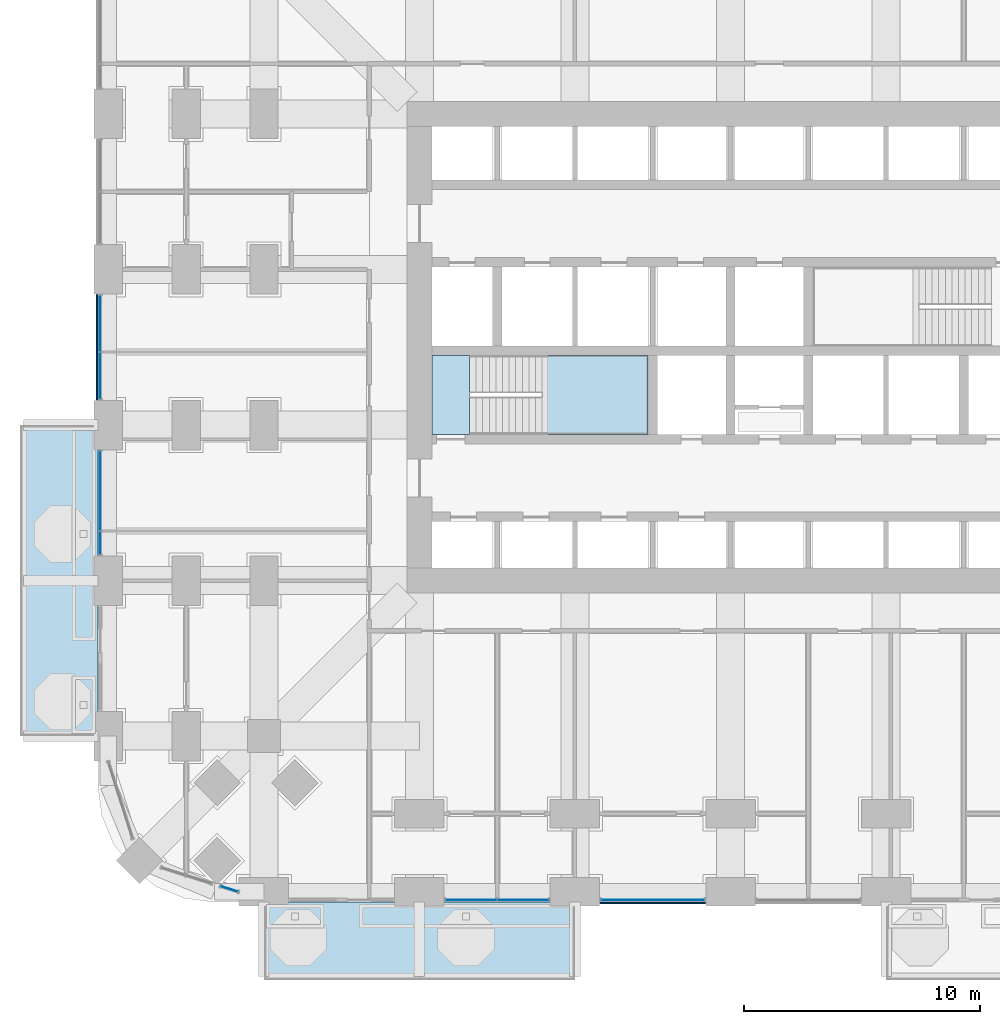
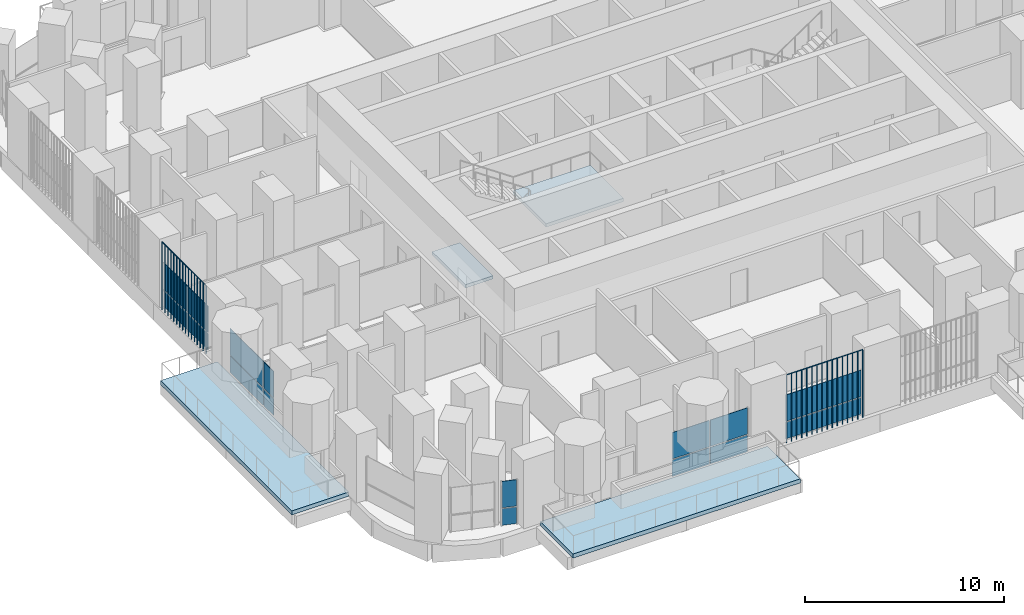
# One storey, part 12 of 27: 18 plates, 4 slabs, 6 elements without a shape of their own.
"""IFC4 building model written with IfcOpenShell, lengths in metres."""

from ifc_helpers import new_model, si_unit, direction, frame, origin, origin_2d, place, context, subcontext, project, spatial, polyline, rectangle, outline, extrude, material, layer, layer_set, type_object, element, aggregate, save


model = new_model("IFC4")

# Units and contexts
model_context = context("Model", 3, precision=1e-05, world=origin(), true_north=direction((0.0, 1.0)))
body_context = subcontext(model_context, "Body", "Model", "MODEL_VIEW")
ifc_project = project(units=[si_unit("LENGTHUNIT", "METRE"), si_unit("AREAUNIT", "SQUARE_METRE"), si_unit("VOLUMEUNIT", "CUBIC_METRE"), si_unit("PLANEANGLEUNIT", "RADIAN"), si_unit("MASSUNIT", "GRAM", prefix="KILO")], contexts=[model_context])

# Site, building, storey
site_placement = place(None, origin())
site = spatial("IfcSite", under=ifc_project, at=site_placement, CompositionType="ELEMENT")
building_placement = place(site_placement, origin())
building = spatial("IfcBuilding", under=site, at=building_placement, Name="Cobogo Forest Laboratory Tower", CompositionType="ELEMENT")
storey_placement = place(building_placement, frame((0.0, 0.0, 46.5)))
storey = spatial("IfcBuildingStorey", under=building, at=storey_placement, Name="L10", CompositionType="ELEMENT", Elevation=46.5)

# Slabs
ifc_material_1 = material(Name="Concrete HA-40 (C40/50)", Category="concrete")
ifc_layer_1 = layer(ifc_material_1, 0.25)
ifc_layer_set_1 = layer_set([ifc_layer_1], Name="Balcony slab 250")
slab_type_1 = type_object("IfcSlabType", Name="Balcony slab 250", PredefinedType="FLOOR", material=ifc_layer_set_1)
slab_1_placement = place(storey_placement, frame((0.0, 0.0, -0.25)))
element("IfcSlab", 1, at=slab_1_placement, inside=storey, type_object=slab_type_1, Name="Balcony BAL-S1 L10", PredefinedType="FLOOR", context=body_context, shape_type="SweptSolid", body=[
    extrude(outline(polyline([(6.60009765625, -3.75), (19.800048828125, -3.75), (19.800048828125, -0.449951171875), (6.60009765625, -0.449951171875), (6.60009765625, -3.75)])), origin(), (0.0, 0.0, 1.0), 0.25),
])
slab_2_placement = place(storey_placement, frame((0.0, 0.0, -0.25)))
element("IfcSlab", 2, at=slab_2_placement, inside=storey, type_object=slab_type_1, Name="Balcony BAL-W1 L10", PredefinedType="FLOOR", context=body_context, shape_type="SweptSolid", body=[
    extrude(outline(polyline([(-3.75, 6.60009765625), (-0.449951171875, 6.60009765625), (-0.449951171875, 19.800048828125), (-3.75, 19.800048828125), (-3.75, 6.60009765625)])), origin(), (0.0, 0.0, 1.0), 0.25),
])

# Curtain wall, plates
ifc_material_2 = material(Name="Aluminium curtain wall", Category="aluminium")
curtain_wall_type = type_object("IfcCurtainWallType", Name="CW-1 unitised curtain wall, clear glazing, laboratory floors zones A and B", PredefinedType="USERDEFINED", material=ifc_material_2)
curtain_wall_1_placement = place(storey_placement, origin())
curtain_wall_1 = element("IfcCurtainWall", 3, at=curtain_wall_1_placement, inside=storey, type_object=curtain_wall_type, Name="Curtain wall 02 L10", ObjectType="UNITISED CURTAIN WALL", PredefinedType="USERDEFINED")
ifc_material_3 = material(Name="Clear insulated glass", Category="glass")
ifc_layer_2 = layer(ifc_material_3, 0.028076171875)
ifc_layer_set_2 = layer_set([ifc_layer_2], Name="GP-1 clear insulated glass unit 28")
plate_type_1 = type_object("IfcPlateType", Name="GP-1 clear insulated glass unit 28", PredefinedType="CURTAIN_PANEL", material=ifc_layer_set_2)
plate_1_placement = place(storey_placement, frame((15.389892578125, -0.35009765625, 0.0), z_axis=(0.0, 0.0, 1.0), x_axis=(1.0, 0.0, 0.0)))
plate_1 = element("IfcPlate", 4, at=plate_1_placement, type_object=plate_type_1, Name="CW-1 panel 1.1", PredefinedType="CURTAIN_PANEL", context=body_context, shape_type="SweptSolid", body=[
    extrude(rectangle(XDim=2.159912109375, YDim=0.028076171875, at=origin_2d()), origin(), (0.0, 0.0, 1.0), 1.02001953125),
])
plate_2_placement = place(storey_placement, frame((15.389892578125, -0.35009765625, 1.079833984375), z_axis=(0.0, 0.0, 1.0), x_axis=(1.0, 0.0, 0.0)))
plate_2 = element("IfcPlate", 5, at=plate_2_placement, type_object=plate_type_1, Name="CW-1 panel 1.2", PredefinedType="CURTAIN_PANEL", context=body_context, shape_type="SweptSolid", body=[
    extrude(rectangle(XDim=2.159912109375, YDim=0.028076171875, at=origin_2d()), origin(), (0.0, 0.0, 1.0), 1.6201171875),
])
plate_3_placement = place(storey_placement, frame((17.610107421875, -0.35009765625, 0.0), z_axis=(0.0, 0.0, 1.0), x_axis=(1.0, 0.0, 0.0)))
plate_3 = element("IfcPlate", 6, at=plate_3_placement, type_object=plate_type_1, Name="CW-1 panel 2.1", PredefinedType="CURTAIN_PANEL", context=body_context, shape_type="SweptSolid", body=[
    extrude(rectangle(XDim=2.159912109375, YDim=0.028076171875, at=origin_2d()), origin(), (0.0, 0.0, 1.0), 1.02001953125),
])
plate_4_placement = place(storey_placement, frame((17.610107421875, -0.35009765625, 1.079833984375), z_axis=(0.0, 0.0, 1.0), x_axis=(1.0, 0.0, 0.0)))
plate_4 = element("IfcPlate", 7, at=plate_4_placement, type_object=plate_type_1, Name="CW-1 panel 2.2", PredefinedType="CURTAIN_PANEL", context=body_context, shape_type="SweptSolid", body=[
    extrude(rectangle(XDim=2.159912109375, YDim=0.028076171875, at=origin_2d()), origin(), (0.0, 0.0, 1.0), 1.6201171875),
])
aggregate(curtain_wall_1, [plate_1, plate_2, plate_3, plate_4])

curtain_wall_2_placement = place(storey_placement, origin())
curtain_wall_2 = element("IfcCurtainWall", 8, at=curtain_wall_2_placement, inside=storey, type_object=curtain_wall_type, Name="Curtain wall 03 L10", ObjectType="UNITISED CURTAIN WALL", PredefinedType="USERDEFINED")
plate_5_placement = place(storey_placement, frame((23.10009765625, -0.35009765625, 0.0), z_axis=(0.0, 0.0, 1.0), x_axis=(1.0, 0.0, 0.0)))
plate_5 = element("IfcPlate", 9, at=plate_5_placement, type_object=plate_type_1, Name="CW-1 panel 1.1", PredefinedType="CURTAIN_PANEL", context=body_context, shape_type="SweptSolid", body=[
    extrude(rectangle(XDim=4.3798828125, YDim=0.028076171875, at=origin_2d()), origin(), (0.0, 0.0, 1.0), 1.02001953125),
])
plate_6_placement = place(storey_placement, frame((23.10009765625, -0.35009765625, 1.079833984375), z_axis=(0.0, 0.0, 1.0), x_axis=(1.0, 0.0, 0.0)))
plate_6 = element("IfcPlate", 10, at=plate_6_placement, type_object=plate_type_1, Name="CW-1 panel 1.2", PredefinedType="CURTAIN_PANEL", context=body_context, shape_type="SweptSolid", body=[
    extrude(rectangle(XDim=4.3798828125, YDim=0.028076171875, at=origin_2d()), origin(), (0.0, 0.0, 1.0), 1.6201171875),
])
aggregate(curtain_wall_2, [plate_5, plate_6])

curtain_wall_3_placement = place(storey_placement, origin())
curtain_wall_3 = element("IfcCurtainWall", 11, at=curtain_wall_3_placement, inside=storey, type_object=curtain_wall_type, Name="Curtain wall 29 L10", ObjectType="UNITISED CURTAIN WALL", PredefinedType="USERDEFINED")
plate_7_placement = place(storey_placement, frame((-0.35009765625, 24.110107421875, 0.0), z_axis=(0.0, 0.0, 1.0), x_axis=(0.0, -1.0, 0.0)))
plate_7 = element("IfcPlate", 12, at=plate_7_placement, type_object=plate_type_1, Name="CW-1 panel 1.1", PredefinedType="CURTAIN_PANEL", context=body_context, shape_type="SweptSolid", body=[
    extrude(rectangle(XDim=2.360107421875, YDim=0.028076171875, at=origin_2d()), origin(), (0.0, 0.0, 1.0), 1.02001953125),
])
plate_8_placement = place(storey_placement, frame((-0.35009765625, 24.110107421875, 1.079833984375), z_axis=(0.0, 0.0, 1.0), x_axis=(0.0, -1.0, 0.0)))
plate_8 = element("IfcPlate", 13, at=plate_8_placement, type_object=plate_type_1, Name="CW-1 panel 1.2", PredefinedType="CURTAIN_PANEL", context=body_context, shape_type="SweptSolid", body=[
    extrude(rectangle(XDim=2.360107421875, YDim=0.028076171875, at=origin_2d()), origin(), (0.0, 0.0, 1.0), 1.6201171875),
])
plate_9_placement = place(storey_placement, frame((-0.35009765625, 21.889892578125, 0.0), z_axis=(0.0, 0.0, 1.0), x_axis=(0.0, -1.0, 0.0)))
plate_9 = element("IfcPlate", 14, at=plate_9_placement, type_object=plate_type_1, Name="CW-1 panel 2.1", PredefinedType="CURTAIN_PANEL", context=body_context, shape_type="SweptSolid", body=[
    extrude(rectangle(XDim=1.9599609375, YDim=0.028076171875, at=origin_2d()), origin(), (0.0, 0.0, 1.0), 1.02001953125),
])
plate_10_placement = place(storey_placement, frame((-0.35009765625, 21.889892578125, 1.079833984375), z_axis=(0.0, 0.0, 1.0), x_axis=(0.0, -1.0, 0.0)))
plate_10 = element("IfcPlate", 15, at=plate_10_placement, type_object=plate_type_1, Name="CW-1 panel 2.2", PredefinedType="CURTAIN_PANEL", context=body_context, shape_type="SweptSolid", body=[
    extrude(rectangle(XDim=1.9599609375, YDim=0.028076171875, at=origin_2d()), origin(), (0.0, 0.0, 1.0), 1.6201171875),
])
aggregate(curtain_wall_3, [plate_7, plate_8, plate_9, plate_10])

curtain_wall_4_placement = place(storey_placement, origin())
curtain_wall_4 = element("IfcCurtainWall", 16, at=curtain_wall_4_placement, inside=storey, type_object=curtain_wall_type, Name="Curtain wall 30 L10", ObjectType="UNITISED CURTAIN WALL", PredefinedType="USERDEFINED")
plate_11_placement = place(storey_placement, frame((-0.35009765625, 17.010009765625, 0.0), z_axis=(0.0, 0.0, 1.0), x_axis=(0.0, -1.0, 0.0)))
plate_11 = element("IfcPlate", 17, at=plate_11_placement, type_object=plate_type_1, Name="CW-1 panel 1.1", PredefinedType="CURTAIN_PANEL", context=body_context, shape_type="SweptSolid", body=[
    extrude(rectangle(XDim=3.360107421875, YDim=0.028076171875, at=origin_2d()), origin(), (0.0, 0.0, 1.0), 1.02001953125),
])
plate_12_placement = place(storey_placement, frame((-0.35009765625, 17.010009765625, 1.079833984375), z_axis=(0.0, 0.0, 1.0), x_axis=(0.0, -1.0, 0.0)))
plate_12 = element("IfcPlate", 18, at=plate_12_placement, type_object=plate_type_1, Name="CW-1 panel 1.2", PredefinedType="CURTAIN_PANEL", context=body_context, shape_type="SweptSolid", body=[
    extrude(rectangle(XDim=3.360107421875, YDim=0.028076171875, at=origin_2d()), origin(), (0.0, 0.0, 1.0), 1.6201171875),
])
plate_13_placement = place(storey_placement, frame((-0.35009765625, 14.7900390625, 0.0), z_axis=(0.0, 0.0, 1.0), x_axis=(0.0, -1.0, 0.0)))
plate_13 = element("IfcPlate", 19, at=plate_13_placement, type_object=plate_type_1, Name="CW-1 panel 2.1", PredefinedType="CURTAIN_PANEL", context=body_context, shape_type="SweptSolid", body=[
    extrude(rectangle(XDim=0.9599609375, YDim=0.028076171875, at=origin_2d()), origin(), (0.0, 0.0, 1.0), 1.02001953125),
])
plate_14_placement = place(storey_placement, frame((-0.35009765625, 14.7900390625, 1.079833984375), z_axis=(0.0, 0.0, 1.0), x_axis=(0.0, -1.0, 0.0)))
plate_14 = element("IfcPlate", 20, at=plate_14_placement, type_object=plate_type_1, Name="CW-1 panel 2.2", PredefinedType="CURTAIN_PANEL", context=body_context, shape_type="SweptSolid", body=[
    extrude(rectangle(XDim=0.9599609375, YDim=0.028076171875, at=origin_2d()), origin(), (0.0, 0.0, 1.0), 1.6201171875),
])
aggregate(curtain_wall_4, [plate_11, plate_12, plate_13, plate_14])

curtain_wall_5_placement = place(storey_placement, origin())
curtain_wall_5 = element("IfcCurtainWall", 21, at=curtain_wall_5_placement, inside=storey, type_object=curtain_wall_type, Name="Curtain wall 34 L10", ObjectType="UNITISED CURTAIN WALL", PredefinedType="USERDEFINED")
plate_15_placement = place(storey_placement, frame((5.134033203125, 0.113037109375, 0.0), z_axis=(0.0, 0.0, 1.0), x_axis=(0.953581504428, -0.301135043481, 0.0)))
plate_15 = element("IfcPlate", 22, at=plate_15_placement, type_object=plate_type_1, Name="CW-1 panel 1.1", PredefinedType="CURTAIN_PANEL", context=body_context, shape_type="SweptSolid", body=[
    extrude(rectangle(XDim=0.75244140625, YDim=0.028076171875, at=origin_2d()), origin(), (0.0, 0.0, 1.0), 1.02001953125),
])
plate_16_placement = place(storey_placement, frame((5.134033203125, 0.113037109375, 1.079833984375), z_axis=(0.0, 0.0, 1.0), x_axis=(0.953581504428, -0.301135043481, 0.0)))
plate_16 = element("IfcPlate", 23, at=plate_16_placement, type_object=plate_type_1, Name="CW-1 panel 1.2", PredefinedType="CURTAIN_PANEL", context=body_context, shape_type="SweptSolid", body=[
    extrude(rectangle(XDim=0.75244140625, YDim=0.028076171875, at=origin_2d()), origin(), (0.0, 0.0, 1.0), 1.6201171875),
])
aggregate(curtain_wall_5, [plate_15, plate_16])

# Stair, slabs
ifc_material_4 = material(Name="Precast concrete HA-40 (C40/50)", Category="concrete")
stair_type = type_object("IfcStairType", Name="ST24 exit stair 24 risers", PredefinedType="HALF_TURN_STAIR", material=ifc_material_4)
stair_placement = place(storey_placement, origin())
stair = element("IfcStair", 24, at=stair_placement, inside=storey, type_object=stair_type, Name="Stair 1 L10 to L11", PredefinedType="HALF_TURN_STAIR")
ifc_layer_3 = layer(ifc_material_1, 0.199951171875)
ifc_layer_set_3 = layer_set([ifc_layer_3], Name="SL stair landing 200")
slab_type_2 = type_object("IfcSlabType", Name="SL stair landing 200", PredefinedType="LANDING", material=ifc_layer_set_3)
slab_3_placement = place(storey_placement, frame((0.0, 0.0, -0.199951171875)))
slab_3 = element("IfcSlab", 25, at=slab_3_placement, type_object=slab_type_2, Name="ST1 landing 1", PredefinedType="LANDING", context=body_context, shape_type="SweptSolid", body=[
    extrude(outline(polyline([(13.72509765625, 19.39990234375), (15.326904296875, 19.39990234375), (15.326904296875, 22.75), (13.72509765625, 22.75), (13.72509765625, 19.39990234375)])), origin(), (0.0, 0.0, 1.0), 0.199951171875),
])
slab_4_placement = place(storey_placement, frame((0.0, 0.0, 1.89990234375)))
slab_4 = element("IfcSlab", 26, at=slab_4_placement, type_object=slab_type_2, Name="ST1 landing 2", PredefinedType="LANDING", context=body_context, shape_type="SweptSolid", body=[
    extrude(outline(polyline([(18.403076171875, 19.39990234375), (22.89990234375, 19.39990234375), (22.89990234375, 22.75), (18.403076171875, 22.75), (18.403076171875, 19.39990234375)])), origin(), (0.0, 0.0, 1.0), 0.2001953125),
])
aggregate(stair, [slab_3, slab_4])

# Plates
ifc_material_5 = material(Name="Terracotta", Category="masonry")
plate_type_2 = type_object("IfcPlateType", Name="TB1 terracotta baguette screen", PredefinedType="USERDEFINED", material=ifc_material_5)
plate_17_placement = place(storey_placement, frame((20.88134765625, -0.477783203125, -0.14990234375)))
element("IfcPlate", 27, at=plate_17_placement, inside=storey, type_object=plate_type_2, Name="Baguette screen S3 L10", ObjectType="BAGUETTE SCREEN", PredefinedType="USERDEFINED", context=body_context, shape_type="SweptSolid", body=[
    extrude(outline(polyline([(0.02880859375, 0.011962890625), (0.011962890625, 0.02880859375), (-0.011962890625, 0.02880859375), (-0.02880859375, 0.011962890625), (-0.02880859375, -0.011962890625), (-0.011962890625, -0.02880859375), (0.011962890625, -0.02880859375), (0.02880859375, -0.011962890625), (0.02880859375, 0.011962890625)])), frame((0.0, 0.0, 4.168701171875), z_axis=(1.0, 0.0, 0.0), x_axis=(0.0, 1.0, 0.0)), (0.0, 0.0, 1.0), 4.4375),
    extrude(outline(polyline([(0.02880859375, 0.011962890625), (0.011962890625, 0.02880859375), (-0.011962890625, 0.02880859375), (-0.02880859375, 0.011962890625), (-0.02880859375, -0.011962890625), (-0.011962890625, -0.02880859375), (0.011962890625, -0.02880859375), (0.02880859375, -0.011962890625), (0.02880859375, 0.011962890625)])), origin(), (0.0, 0.0, 1.0), 4.137451171875),
    extrude(outline(polyline([(0.02880859375, 0.011962890625), (0.011962890625, 0.02880859375), (-0.011962890625, 0.02880859375), (-0.02880859375, 0.011962890625), (-0.02880859375, -0.011962890625), (-0.011962890625, -0.02880859375), (0.011962890625, -0.02880859375), (0.02880859375, -0.011962890625), (0.02880859375, 0.011962890625)])), frame((0.2958984375, 0.0, 0.0)), (0.0, 0.0, 1.0), 4.137451171875),
    extrude(outline(polyline([(0.02880859375, 0.011962890625), (0.011962890625, 0.02880859375), (-0.011962890625, 0.02880859375), (-0.02880859375, 0.011962890625), (-0.02880859375, -0.011962890625), (-0.011962890625, -0.02880859375), (0.011962890625, -0.02880859375), (0.02880859375, -0.011962890625), (0.02880859375, 0.011962890625)])), frame((0.591552734375, 0.0, 0.0)), (0.0, 0.0, 1.0), 4.137451171875),
    extrude(outline(polyline([(0.02880859375, 0.011962890625), (0.011962890625, 0.02880859375), (-0.011962890625, 0.02880859375), (-0.02880859375, 0.011962890625), (-0.02880859375, -0.011962890625), (-0.011962890625, -0.02880859375), (0.011962890625, -0.02880859375), (0.02880859375, -0.011962890625), (0.02880859375, 0.011962890625)])), frame((0.887451171875, 0.0, 0.0)), (0.0, 0.0, 1.0), 4.137451171875),
    extrude(outline(polyline([(0.02880859375, 0.011962890625), (0.011962890625, 0.02880859375), (-0.011962890625, 0.02880859375), (-0.02880859375, 0.011962890625), (-0.02880859375, -0.011962890625), (-0.011962890625, -0.02880859375), (0.011962890625, -0.02880859375), (0.02880859375, -0.011962890625), (0.02880859375, 0.011962890625)])), frame((1.183349609375, 0.0, 0.0)), (0.0, 0.0, 1.0), 4.137451171875),
    extrude(outline(polyline([(0.02880859375, 0.011962890625), (0.011962890625, 0.02880859375), (-0.011962890625, 0.02880859375), (-0.02880859375, 0.011962890625), (-0.02880859375, -0.011962890625), (-0.011962890625, -0.02880859375), (0.011962890625, -0.02880859375), (0.02880859375, -0.011962890625), (0.02880859375, 0.011962890625)])), frame((1.479248046875, 0.0, 0.0)), (0.0, 0.0, 1.0), 4.137451171875),
    extrude(outline(polyline([(0.02880859375, 0.011962890625), (0.011962890625, 0.02880859375), (-0.011962890625, 0.02880859375), (-0.02880859375, 0.011962890625), (-0.02880859375, -0.011962890625), (-0.011962890625, -0.02880859375), (0.011962890625, -0.02880859375), (0.02880859375, -0.011962890625), (0.02880859375, 0.011962890625)])), frame((1.77490234375, 0.0, 0.0)), (0.0, 0.0, 1.0), 4.137451171875),
    extrude(outline(polyline([(0.02880859375, 0.011962890625), (0.011962890625, 0.02880859375), (-0.011962890625, 0.02880859375), (-0.02880859375, 0.011962890625), (-0.02880859375, -0.011962890625), (-0.011962890625, -0.02880859375), (0.011962890625, -0.02880859375), (0.02880859375, -0.011962890625), (0.02880859375, 0.011962890625)])), frame((2.07080078125, 0.0, 0.0)), (0.0, 0.0, 1.0), 4.137451171875),
    extrude(outline(polyline([(0.02880859375, 0.011962890625), (0.011962890625, 0.02880859375), (-0.011962890625, 0.02880859375), (-0.02880859375, 0.011962890625), (-0.02880859375, -0.011962890625), (-0.011962890625, -0.02880859375), (0.011962890625, -0.02880859375), (0.02880859375, -0.011962890625), (0.02880859375, 0.011962890625)])), frame((2.36669921875, 0.0, 0.0)), (0.0, 0.0, 1.0), 4.137451171875),
    extrude(outline(polyline([(0.02880859375, 0.011962890625), (0.011962890625, 0.02880859375), (-0.011962890625, 0.02880859375), (-0.02880859375, 0.011962890625), (-0.02880859375, -0.011962890625), (-0.011962890625, -0.02880859375), (0.011962890625, -0.02880859375), (0.02880859375, -0.011962890625), (0.02880859375, 0.011962890625)])), frame((2.66259765625, 0.0, 0.0)), (0.0, 0.0, 1.0), 4.137451171875),
    extrude(outline(polyline([(0.02880859375, 0.011962890625), (0.011962890625, 0.02880859375), (-0.011962890625, 0.02880859375), (-0.02880859375, 0.011962890625), (-0.02880859375, -0.011962890625), (-0.011962890625, -0.02880859375), (0.011962890625, -0.02880859375), (0.02880859375, -0.011962890625), (0.02880859375, 0.011962890625)])), frame((2.958251953125, 0.0, 0.0)), (0.0, 0.0, 1.0), 4.137451171875),
    extrude(outline(polyline([(0.02880859375, 0.011962890625), (0.011962890625, 0.02880859375), (-0.011962890625, 0.02880859375), (-0.02880859375, 0.011962890625), (-0.02880859375, -0.011962890625), (-0.011962890625, -0.02880859375), (0.011962890625, -0.02880859375), (0.02880859375, -0.011962890625), (0.02880859375, 0.011962890625)])), frame((3.254150390625, 0.0, 0.0)), (0.0, 0.0, 1.0), 4.137451171875),
    extrude(outline(polyline([(0.02880859375, 0.011962890625), (0.011962890625, 0.02880859375), (-0.011962890625, 0.02880859375), (-0.02880859375, 0.011962890625), (-0.02880859375, -0.011962890625), (-0.011962890625, -0.02880859375), (0.011962890625, -0.02880859375), (0.02880859375, -0.011962890625), (0.02880859375, 0.011962890625)])), frame((3.550048828125, 0.0, 0.0)), (0.0, 0.0, 1.0), 4.137451171875),
    extrude(outline(polyline([(0.02880859375, 0.011962890625), (0.011962890625, 0.02880859375), (-0.011962890625, 0.02880859375), (-0.02880859375, 0.011962890625), (-0.02880859375, -0.011962890625), (-0.011962890625, -0.02880859375), (0.011962890625, -0.02880859375), (0.02880859375, -0.011962890625), (0.02880859375, 0.011962890625)])), frame((3.845947265625, 0.0, 0.0)), (0.0, 0.0, 1.0), 4.137451171875),
    extrude(outline(polyline([(0.02880859375, 0.011962890625), (0.011962890625, 0.02880859375), (-0.011962890625, 0.02880859375), (-0.02880859375, 0.011962890625), (-0.02880859375, -0.011962890625), (-0.011962890625, -0.02880859375), (0.011962890625, -0.02880859375), (0.02880859375, -0.011962890625), (0.02880859375, 0.011962890625)])), frame((4.1416015625, 0.0, 0.0)), (0.0, 0.0, 1.0), 4.137451171875),
    extrude(outline(polyline([(0.02880859375, 0.011962890625), (0.011962890625, 0.02880859375), (-0.011962890625, 0.02880859375), (-0.02880859375, 0.011962890625), (-0.02880859375, -0.011962890625), (-0.011962890625, -0.02880859375), (0.011962890625, -0.02880859375), (0.02880859375, -0.011962890625), (0.02880859375, 0.011962890625)])), frame((4.4375, 0.0, 0.0)), (0.0, 0.0, 1.0), 4.137451171875),
])
plate_18_placement = place(storey_placement, frame((-0.477783203125, 20.88134765625, -0.14990234375)))
element("IfcPlate", 28, at=plate_18_placement, inside=storey, type_object=plate_type_2, Name="Baguette screen W3 L10", ObjectType="BAGUETTE SCREEN", PredefinedType="USERDEFINED", context=body_context, shape_type="SweptSolid", body=[
    extrude(outline(polyline([(0.02880859375, 0.011962890625), (0.011962890625, 0.02880859375), (-0.011962890625, 0.02880859375), (-0.02880859375, 0.011962890625), (-0.02880859375, -0.011962890625), (-0.011962890625, -0.02880859375), (0.011962890625, -0.02880859375), (0.02880859375, -0.011962890625), (0.02880859375, 0.011962890625)])), frame((0.0, 0.0, 4.168701171875), z_axis=(0.0, 1.0, 0.0), x_axis=(-1.0, 0.0, 0.0)), (0.0, 0.0, 1.0), 4.4375),
    extrude(outline(polyline([(0.02880859375, 0.011962890625), (0.011962890625, 0.02880859375), (-0.011962890625, 0.02880859375), (-0.02880859375, 0.011962890625), (-0.02880859375, -0.011962890625), (-0.011962890625, -0.02880859375), (0.011962890625, -0.02880859375), (0.02880859375, -0.011962890625), (0.02880859375, 0.011962890625)])), origin(), (0.0, 0.0, 1.0), 4.137451171875),
    extrude(outline(polyline([(0.02880859375, 0.011962890625), (0.011962890625, 0.02880859375), (-0.011962890625, 0.02880859375), (-0.02880859375, 0.011962890625), (-0.02880859375, -0.011962890625), (-0.011962890625, -0.02880859375), (0.011962890625, -0.02880859375), (0.02880859375, -0.011962890625), (0.02880859375, 0.011962890625)])), frame((0.0, 0.2958984375, 0.0)), (0.0, 0.0, 1.0), 4.137451171875),
    extrude(outline(polyline([(0.02880859375, 0.011962890625), (0.011962890625, 0.02880859375), (-0.011962890625, 0.02880859375), (-0.02880859375, 0.011962890625), (-0.02880859375, -0.011962890625), (-0.011962890625, -0.02880859375), (0.011962890625, -0.02880859375), (0.02880859375, -0.011962890625), (0.02880859375, 0.011962890625)])), frame((0.0, 0.591552734375, 0.0)), (0.0, 0.0, 1.0), 4.137451171875),
    extrude(outline(polyline([(0.02880859375, 0.011962890625), (0.011962890625, 0.02880859375), (-0.011962890625, 0.02880859375), (-0.02880859375, 0.011962890625), (-0.02880859375, -0.011962890625), (-0.011962890625, -0.02880859375), (0.011962890625, -0.02880859375), (0.02880859375, -0.011962890625), (0.02880859375, 0.011962890625)])), frame((0.0, 0.887451171875, 0.0)), (0.0, 0.0, 1.0), 4.137451171875),
    extrude(outline(polyline([(0.02880859375, 0.011962890625), (0.011962890625, 0.02880859375), (-0.011962890625, 0.02880859375), (-0.02880859375, 0.011962890625), (-0.02880859375, -0.011962890625), (-0.011962890625, -0.02880859375), (0.011962890625, -0.02880859375), (0.02880859375, -0.011962890625), (0.02880859375, 0.011962890625)])), frame((0.0, 1.183349609375, 0.0)), (0.0, 0.0, 1.0), 4.137451171875),
    extrude(outline(polyline([(0.02880859375, 0.011962890625), (0.011962890625, 0.02880859375), (-0.011962890625, 0.02880859375), (-0.02880859375, 0.011962890625), (-0.02880859375, -0.011962890625), (-0.011962890625, -0.02880859375), (0.011962890625, -0.02880859375), (0.02880859375, -0.011962890625), (0.02880859375, 0.011962890625)])), frame((0.0, 1.479248046875, 0.0)), (0.0, 0.0, 1.0), 4.137451171875),
    extrude(outline(polyline([(0.02880859375, 0.011962890625), (0.011962890625, 0.02880859375), (-0.011962890625, 0.02880859375), (-0.02880859375, 0.011962890625), (-0.02880859375, -0.011962890625), (-0.011962890625, -0.02880859375), (0.011962890625, -0.02880859375), (0.02880859375, -0.011962890625), (0.02880859375, 0.011962890625)])), frame((0.0, 1.77490234375, 0.0)), (0.0, 0.0, 1.0), 4.137451171875),
    extrude(outline(polyline([(0.02880859375, 0.011962890625), (0.011962890625, 0.02880859375), (-0.011962890625, 0.02880859375), (-0.02880859375, 0.011962890625), (-0.02880859375, -0.011962890625), (-0.011962890625, -0.02880859375), (0.011962890625, -0.02880859375), (0.02880859375, -0.011962890625), (0.02880859375, 0.011962890625)])), frame((0.0, 2.07080078125, 0.0)), (0.0, 0.0, 1.0), 4.137451171875),
    extrude(outline(polyline([(0.02880859375, 0.011962890625), (0.011962890625, 0.02880859375), (-0.011962890625, 0.02880859375), (-0.02880859375, 0.011962890625), (-0.02880859375, -0.011962890625), (-0.011962890625, -0.02880859375), (0.011962890625, -0.02880859375), (0.02880859375, -0.011962890625), (0.02880859375, 0.011962890625)])), frame((0.0, 2.36669921875, 0.0)), (0.0, 0.0, 1.0), 4.137451171875),
    extrude(outline(polyline([(0.02880859375, 0.011962890625), (0.011962890625, 0.02880859375), (-0.011962890625, 0.02880859375), (-0.02880859375, 0.011962890625), (-0.02880859375, -0.011962890625), (-0.011962890625, -0.02880859375), (0.011962890625, -0.02880859375), (0.02880859375, -0.011962890625), (0.02880859375, 0.011962890625)])), frame((0.0, 2.66259765625, 0.0)), (0.0, 0.0, 1.0), 4.137451171875),
    extrude(outline(polyline([(0.02880859375, 0.011962890625), (0.011962890625, 0.02880859375), (-0.011962890625, 0.02880859375), (-0.02880859375, 0.011962890625), (-0.02880859375, -0.011962890625), (-0.011962890625, -0.02880859375), (0.011962890625, -0.02880859375), (0.02880859375, -0.011962890625), (0.02880859375, 0.011962890625)])), frame((0.0, 2.958251953125, 0.0)), (0.0, 0.0, 1.0), 4.137451171875),
    extrude(outline(polyline([(0.02880859375, 0.011962890625), (0.011962890625, 0.02880859375), (-0.011962890625, 0.02880859375), (-0.02880859375, 0.011962890625), (-0.02880859375, -0.011962890625), (-0.011962890625, -0.02880859375), (0.011962890625, -0.02880859375), (0.02880859375, -0.011962890625), (0.02880859375, 0.011962890625)])), frame((0.0, 3.254150390625, 0.0)), (0.0, 0.0, 1.0), 4.137451171875),
    extrude(outline(polyline([(0.02880859375, 0.011962890625), (0.011962890625, 0.02880859375), (-0.011962890625, 0.02880859375), (-0.02880859375, 0.011962890625), (-0.02880859375, -0.011962890625), (-0.011962890625, -0.02880859375), (0.011962890625, -0.02880859375), (0.02880859375, -0.011962890625), (0.02880859375, 0.011962890625)])), frame((0.0, 3.550048828125, 0.0)), (0.0, 0.0, 1.0), 4.137451171875),
    extrude(outline(polyline([(0.02880859375, 0.011962890625), (0.011962890625, 0.02880859375), (-0.011962890625, 0.02880859375), (-0.02880859375, 0.011962890625), (-0.02880859375, -0.011962890625), (-0.011962890625, -0.02880859375), (0.011962890625, -0.02880859375), (0.02880859375, -0.011962890625), (0.02880859375, 0.011962890625)])), frame((0.0, 3.845947265625, 0.0)), (0.0, 0.0, 1.0), 4.137451171875),
    extrude(outline(polyline([(0.02880859375, 0.011962890625), (0.011962890625, 0.02880859375), (-0.011962890625, 0.02880859375), (-0.02880859375, 0.011962890625), (-0.02880859375, -0.011962890625), (-0.011962890625, -0.02880859375), (0.011962890625, -0.02880859375), (0.02880859375, -0.011962890625), (0.02880859375, 0.011962890625)])), frame((0.0, 4.1416015625, 0.0)), (0.0, 0.0, 1.0), 4.137451171875),
    extrude(outline(polyline([(0.02880859375, 0.011962890625), (0.011962890625, 0.02880859375), (-0.011962890625, 0.02880859375), (-0.02880859375, 0.011962890625), (-0.02880859375, -0.011962890625), (-0.011962890625, -0.02880859375), (0.011962890625, -0.02880859375), (0.02880859375, -0.011962890625), (0.02880859375, 0.011962890625)])), frame((0.0, 4.4375, 0.0)), (0.0, 0.0, 1.0), 4.137451171875),
])

save(model, "model.ifc")
